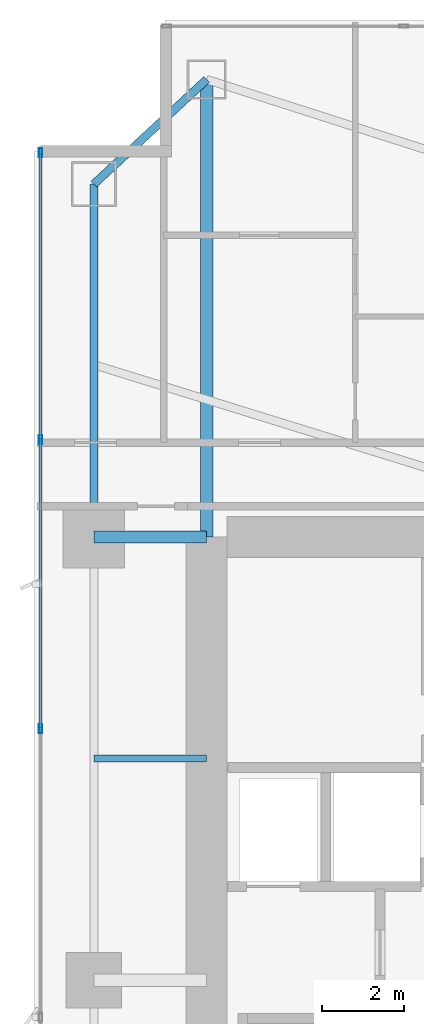
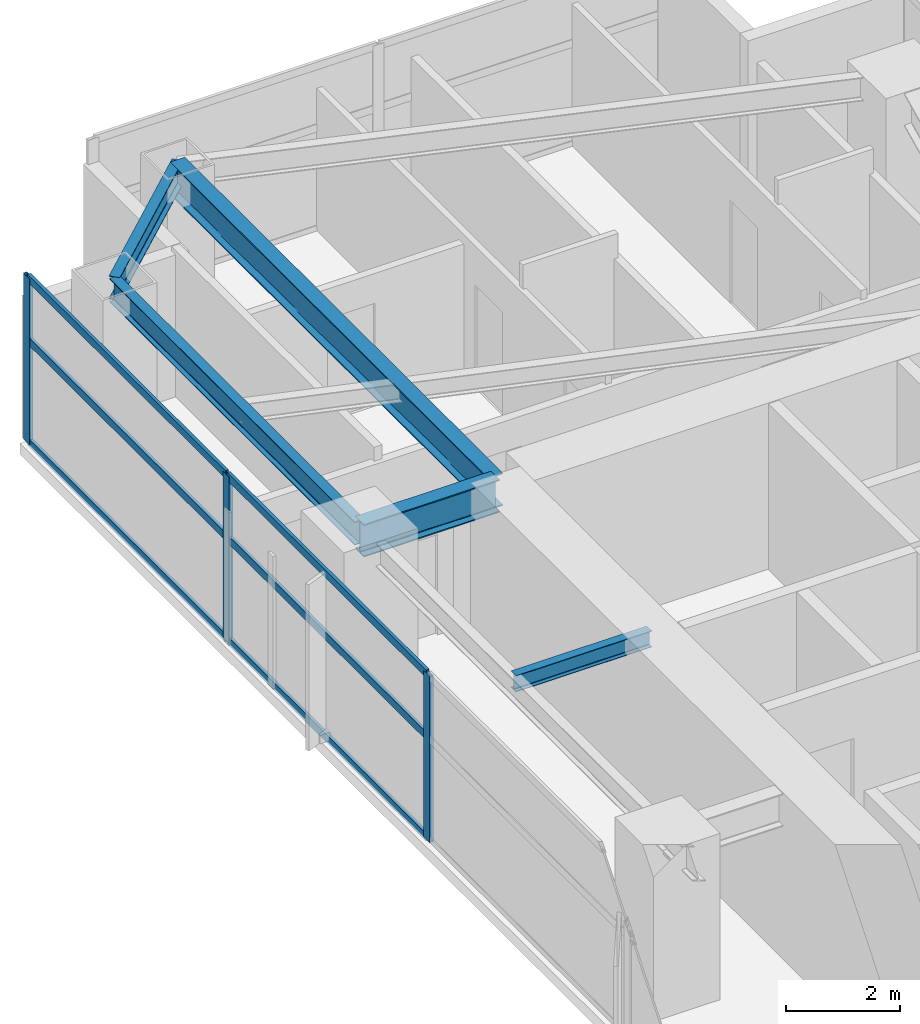
# One storey, part 16 of 30: 9 members, 5 beams, 1 element without a shape of its own.
"""IFC4 building model written with IfcOpenShell, lengths in metres."""

from ifc_helpers import new_model, si_unit, direction, frame, origin, origin_2d, place, context, subcontext, project, spatial, hollow_rectangle, i_section, extrude, material, layer, layer_set, material_profile, profile_set, type_object, element, aggregate, save


model = new_model("IFC4")

# Units and contexts
model_context = context("Model", 3, precision=1e-05, world=origin(), true_north=direction((0.0, 1.0)))
body_context = subcontext(model_context, "Body", "Model", "MODEL_VIEW")
ifc_project = project(units=[si_unit("LENGTHUNIT", "METRE"), si_unit("AREAUNIT", "SQUARE_METRE"), si_unit("VOLUMEUNIT", "CUBIC_METRE"), si_unit("PLANEANGLEUNIT", "RADIAN"), si_unit("MASSUNIT", "GRAM", prefix="KILO")], contexts=[model_context])

# Site, building, storey
site_placement = place(None, origin())
site = spatial("IfcSite", under=ifc_project, at=site_placement, CompositionType="ELEMENT")
building_placement = place(site_placement, origin())
building = spatial("IfcBuilding", under=site, at=building_placement, Name="Calvorn Quay Hotel", CompositionType="ELEMENT")
storey_placement = place(building_placement, frame((0.0, 0.0, 54.60009765625)))
storey = spatial("IfcBuildingStorey", under=building, at=storey_placement, Name="L12", CompositionType="ELEMENT", Elevation=54.60009765625)

# Beams
ifc_material_1 = material(Name="Steel Q390GJC", Category="steel")
ifc_material_profile_1 = material_profile(ifc_material_1, i_section(OverallWidth=0.300048828125, OverallDepth=0.699951171875, WebThickness=0.012939453125, FlangeThickness=0.02392578125, FilletRadius=0.02392578125, at=origin_2d()), Name="HN700x300x13x24")
ifc_profile_set_1 = profile_set([ifc_material_profile_1], Name="Steel Q390GJC")
beam_type_1 = type_object("IfcBeamType", Name="BM-GIRD-MAIN", PredefinedType="BEAM", material=ifc_profile_set_1)
beam_1_placement = place(storey_placement, frame((1.449951171875, 38.39990234375, 3.18994140625), z_axis=(1.0, 0.0, 0.0), x_axis=(0.0, 1.0, 0.0)))
element("IfcBeam", 1, at=beam_1_placement, inside=storey, type_object=beam_type_1, Name="Beam BG-L12-W3", PredefinedType="BEAM", context=body_context, shape_type="SweptSolid", body=[
    extrude(i_section(OverallWidth=0.300048828125, OverallDepth=0.699951171875, WebThickness=0.012939453125, FlangeThickness=0.02392578125, FilletRadius=0.02392578125, at=origin_2d()), origin(), (0.0, 0.0, 1.0), 2.75),
])
beam_2_placement = place(storey_placement, frame((4.199951171875, 49.550048828125, 3.18994140625), z_axis=(0.0, -1.0, 0.0), x_axis=(1.0, 0.0, 0.0)))
element("IfcBeam", 2, at=beam_2_placement, inside=storey, type_object=beam_type_1, Name="Beam BG-L12-W5", PredefinedType="BEAM", context=body_context, shape_type="SweptSolid", body=[
    extrude(i_section(OverallWidth=0.300048828125, OverallDepth=0.699951171875, WebThickness=0.012939453125, FlangeThickness=0.02392578125, FilletRadius=0.02392578125, at=origin_2d()), origin(), (0.0, 0.0, 1.0), 11.150146484375),
])
ifc_material_2 = material(Name="Steel Q355B", Category="steel")
ifc_material_profile_2 = material_profile(ifc_material_2, i_section(OverallWidth=0.175048828125, OverallDepth=0.35009765625, WebThickness=0.007080078125, FlangeThickness=0.010986328125, FilletRadius=0.013916015625, at=origin_2d()), Name="HN350x175x7x11")
ifc_profile_set_2 = profile_set([ifc_material_profile_2], Name="Steel Q355B")
beam_type_2 = type_object("IfcBeamType", Name="BM-JOIST-SEC", PredefinedType="JOIST", material=ifc_profile_set_2)
beam_3_placement = place(storey_placement, frame((1.449951171875, 33.0, 3.364990234375), z_axis=(1.0, 0.0, 0.0), x_axis=(0.0, 1.0, 0.0)))
element("IfcBeam", 3, at=beam_3_placement, inside=storey, type_object=beam_type_2, Name="Beam BJ-L12-W4", PredefinedType="JOIST", context=body_context, shape_type="SweptSolid", body=[
    extrude(i_section(OverallWidth=0.175048828125, OverallDepth=0.35009765625, WebThickness=0.007080078125, FlangeThickness=0.010986328125, FilletRadius=0.013916015625, at=origin_2d()), origin(), (0.0, 0.0, 1.0), 2.75),
])
ifc_material_3 = material(Name="Steel Q355B", Category="steel")
ifc_material_profile_3 = material_profile(ifc_material_3, i_section(OverallWidth=0.199951171875, OverallDepth=0.5, WebThickness=0.010009765625, FlangeThickness=0.01611328125, FilletRadius=0.01611328125, at=origin_2d()), Name="HN500x200x10x16")
ifc_profile_set_3 = profile_set([ifc_material_profile_3], Name="Steel Q355B")
beam_type_3 = type_object("IfcBeamType", Name="BM-SPANDREL-Z1", PredefinedType="SPANDREL", material=ifc_profile_set_3)
beam_4_placement = place(storey_placement, frame((1.449951171875, 38.39990234375, 3.289794921875), z_axis=(0.0, 1.0, 0.0), x_axis=(-1.0, 0.0, 0.0)))
element("IfcBeam", 4, at=beam_4_placement, inside=storey, type_object=beam_type_3, Name="Beam BSP-L12-W4", PredefinedType="SPANDREL", context=body_context, shape_type="SweptSolid", body=[
    extrude(i_section(OverallWidth=0.199951171875, OverallDepth=0.5, WebThickness=0.010009765625, FlangeThickness=0.01611328125, FilletRadius=0.01611328125, at=origin_2d()), origin(), (0.0, 0.0, 1.0), 8.60009765625),
])
beam_5_placement = place(storey_placement, frame((1.449951171875, 47.0, 3.289794921875), z_axis=(0.733261665538, 0.679946563969, 0.0), x_axis=(-0.679946563969, 0.733261665538, 0.0)))
element("IfcBeam", 5, at=beam_5_placement, inside=storey, type_object=beam_type_3, Name="Beam BSP-L12-W5", PredefinedType="SPANDREL", context=body_context, shape_type="SweptSolid", body=[
    extrude(i_section(OverallWidth=0.199951171875, OverallDepth=0.5, WebThickness=0.010009765625, FlangeThickness=0.01611328125, FilletRadius=0.01611328125, at=origin_2d()), origin(), (0.0, 0.0, 1.0), 3.75048828125),
])

# Curtain wall, members
ifc_material_4 = material(Name="Pale Anodised Aluminium and Low-E Glass", Category="aluminium")
ifc_layer = layer(ifc_material_4, 0.219970703125)
ifc_layer_set = layer_set([ifc_layer], Name="CW-SYS-Z1")
curtain_wall_type = type_object("IfcCurtainWallType", Name="CW-SYS-Z1", PredefinedType="NOTDEFINED", material=ifc_layer_set)
curtain_wall_placement = place(storey_placement, origin())
curtain_wall = element("IfcCurtainWall", 6, at=curtain_wall_placement, inside=storey, type_object=curtain_wall_type, Name="Tower West Curtain Wall (L12)", PredefinedType="NOTDEFINED")
ifc_material_5 = material(Name="Pale Anodised Aluminium 6063-T6", Category="aluminium")
ifc_material_profile_4 = material_profile(ifc_material_5, hollow_rectangle(XDim=0.074951171875, YDim=0.219970703125, WallThickness=0.00439453125, at=origin_2d()), Name="ALU-M220x75x4.5")
ifc_profile_set_4 = profile_set([ifc_material_profile_4], Name="Pale Anodised Aluminium 6063-T6")
member_type_1 = type_object("IfcMemberType", Name="CW-SYS-Z1-MUL", PredefinedType="MULLION", material=ifc_profile_set_4)
member_1_placement = place(storey_placement, frame((0.14990234375, 33.7333984375, 0.0), z_axis=(0.0, 0.0, 1.0), x_axis=(-1.0, 0.0, 0.0)))
member_1 = element("IfcMember", 7, at=member_1_placement, type_object=member_type_1, Name="CW-L12-W mullion 5", PredefinedType="MULLION", context=body_context, shape_type="SweptSolid", body=[
    extrude(hollow_rectangle(XDim=0.074951171875, YDim=0.219970703125, WallThickness=0.00439453125, at=origin_2d()), origin(), (0.0, 0.0, 1.0), 3.559814453125),
])
member_2_placement = place(storey_placement, frame((0.14990234375, 40.7666015625, 0.0), z_axis=(0.0, 0.0, 1.0), x_axis=(-1.0, 0.0, 0.0)))
member_2 = element("IfcMember", 8, at=member_2_placement, type_object=member_type_1, Name="CW-L12-W mullion 6", PredefinedType="MULLION", context=body_context, shape_type="SweptSolid", body=[
    extrude(hollow_rectangle(XDim=0.074951171875, YDim=0.219970703125, WallThickness=0.00439453125, at=origin_2d()), origin(), (0.0, 0.0, 1.0), 3.559814453125),
])
member_3_placement = place(storey_placement, frame((0.14990234375, 47.77001953125, 0.0), z_axis=(0.0, 0.0, 1.0), x_axis=(-1.0, 0.0, 0.0)))
member_3 = element("IfcMember", 9, at=member_3_placement, type_object=member_type_1, Name="CW-L12-W mullion 7", PredefinedType="MULLION", context=body_context, shape_type="SweptSolid", body=[
    extrude(hollow_rectangle(XDim=0.074951171875, YDim=0.219970703125, WallThickness=0.00439453125, at=origin_2d()), origin(), (0.0, 0.0, 1.0), 3.559814453125),
])
ifc_material_6 = material(Name="Pale Anodised Aluminium 6063-T6", Category="aluminium")
ifc_material_profile_5 = material_profile(ifc_material_6, hollow_rectangle(XDim=0.06494140625, YDim=0.1650390625, WallThickness=0.00341796875, at=origin_2d()), Name="ALU-T165x65x3.5")
ifc_profile_set_5 = profile_set([ifc_material_profile_5], Name="Pale Anodised Aluminium 6063-T6")
member_type_2 = type_object("IfcMemberType", Name="CW-SYS-Z1-TRN", PredefinedType="USERDEFINED", material=ifc_profile_set_5)
member_4_placement = place(storey_placement, frame((0.14990234375, 33.763427734375, 0.02978515625), z_axis=(0.0, 1.0, 0.0), x_axis=(-1.0, 0.0, 0.0)))
member_4 = element("IfcMember", 10, at=member_4_placement, type_object=member_type_2, Name="CW-L12-W transom 5.1", ObjectType="TRANSOM", PredefinedType="USERDEFINED", context=body_context, shape_type="SweptSolid", body=[
    extrude(hollow_rectangle(XDim=0.06494140625, YDim=0.1650390625, WallThickness=0.00341796875, at=origin_2d()), origin(), (0.0, 0.0, 1.0), 6.97314453125),
])
member_5_placement = place(storey_placement, frame((0.14990234375, 33.763427734375, 2.199951171875), z_axis=(0.0, 1.0, 0.0), x_axis=(-1.0, 0.0, 0.0)))
member_5 = element("IfcMember", 11, at=member_5_placement, type_object=member_type_2, Name="CW-L12-W transom 5.2", ObjectType="TRANSOM", PredefinedType="USERDEFINED", context=body_context, shape_type="SweptSolid", body=[
    extrude(hollow_rectangle(XDim=0.06494140625, YDim=0.1650390625, WallThickness=0.00341796875, at=origin_2d()), origin(), (0.0, 0.0, 1.0), 6.97314453125),
])
member_6_placement = place(storey_placement, frame((0.14990234375, 33.763427734375, 3.52978515625), z_axis=(0.0, 1.0, 0.0), x_axis=(-1.0, 0.0, 0.0)))
member_6 = element("IfcMember", 12, at=member_6_placement, type_object=member_type_2, Name="CW-L12-W transom 5.3", ObjectType="TRANSOM", PredefinedType="USERDEFINED", context=body_context, shape_type="SweptSolid", body=[
    extrude(hollow_rectangle(XDim=0.06494140625, YDim=0.1650390625, WallThickness=0.00341796875, at=origin_2d()), origin(), (0.0, 0.0, 1.0), 6.97314453125),
])
member_7_placement = place(storey_placement, frame((0.14990234375, 40.796630859375, 0.02978515625), z_axis=(0.0, 1.0, 0.0), x_axis=(-1.0, 0.0, 0.0)))
member_7 = element("IfcMember", 13, at=member_7_placement, type_object=member_type_2, Name="CW-L12-W transom 6.1", ObjectType="TRANSOM", PredefinedType="USERDEFINED", context=body_context, shape_type="SweptSolid", body=[
    extrude(hollow_rectangle(XDim=0.06494140625, YDim=0.1650390625, WallThickness=0.00341796875, at=origin_2d()), origin(), (0.0, 0.0, 1.0), 6.943359375),
])
member_8_placement = place(storey_placement, frame((0.14990234375, 40.796630859375, 2.199951171875), z_axis=(0.0, 1.0, 0.0), x_axis=(-1.0, 0.0, 0.0)))
member_8 = element("IfcMember", 14, at=member_8_placement, type_object=member_type_2, Name="CW-L12-W transom 6.2", ObjectType="TRANSOM", PredefinedType="USERDEFINED", context=body_context, shape_type="SweptSolid", body=[
    extrude(hollow_rectangle(XDim=0.06494140625, YDim=0.1650390625, WallThickness=0.00341796875, at=origin_2d()), origin(), (0.0, 0.0, 1.0), 6.943359375),
])
member_9_placement = place(storey_placement, frame((0.14990234375, 40.796630859375, 3.52978515625), z_axis=(0.0, 1.0, 0.0), x_axis=(-1.0, 0.0, 0.0)))
member_9 = element("IfcMember", 15, at=member_9_placement, type_object=member_type_2, Name="CW-L12-W transom 6.3", ObjectType="TRANSOM", PredefinedType="USERDEFINED", context=body_context, shape_type="SweptSolid", body=[
    extrude(hollow_rectangle(XDim=0.06494140625, YDim=0.1650390625, WallThickness=0.00341796875, at=origin_2d()), origin(), (0.0, 0.0, 1.0), 6.943359375),
])
aggregate(curtain_wall, [member_1, member_2, member_3, member_4, member_5, member_6, member_7, member_8, member_9])

save(model, "model.ifc")
